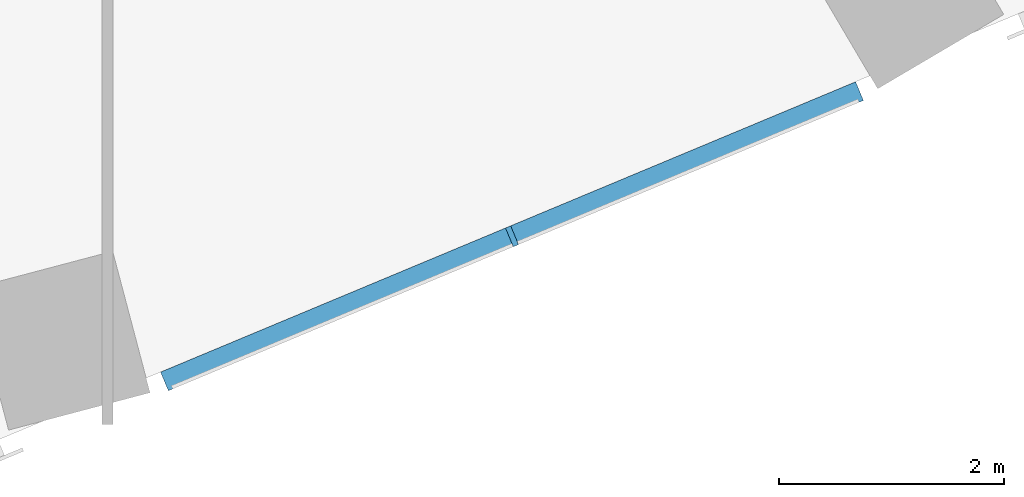
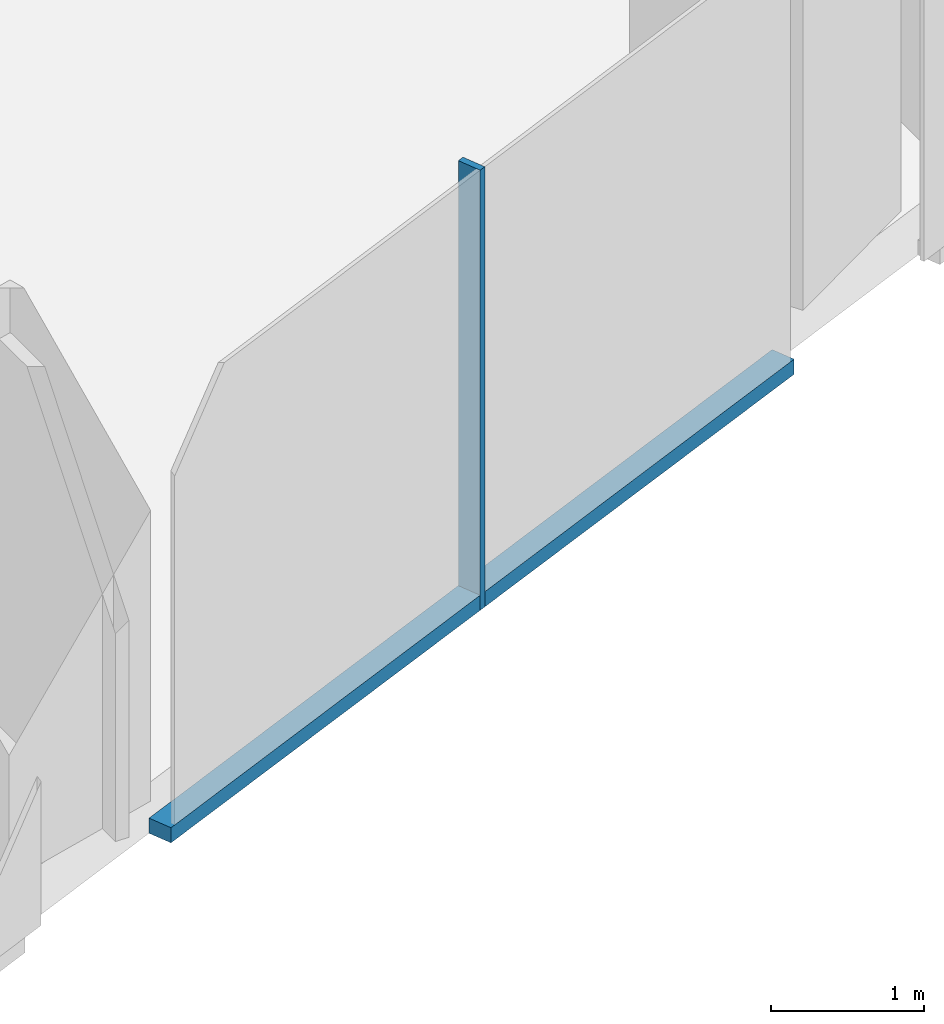
# One storey, part 6 of 34: 2 members, 1 element without a shape of its own.
"""IFC4 building model written with IfcOpenShell, lengths in metres."""

from ifc_helpers import new_model, si_unit, direction, frame, origin, origin_2d, place, context, subcontext, project, spatial, rectangle, extrude, material, material_profile, profile_set, type_object, element, aggregate, save


model = new_model("IFC4")

# Units and contexts
model_context = context("Model", 3, precision=1e-05, world=origin(), true_north=direction((0.0, 1.0)))
body_context = subcontext(model_context, "Body", "Model", "MODEL_VIEW")
ifc_project = project(units=[si_unit("LENGTHUNIT", "METRE"), si_unit("AREAUNIT", "SQUARE_METRE"), si_unit("VOLUMEUNIT", "CUBIC_METRE"), si_unit("PLANEANGLEUNIT", "RADIAN"), si_unit("MASSUNIT", "GRAM", prefix="KILO")], contexts=[model_context])

# Site, building, storey
site_placement = place(None, origin())
site = spatial("IfcSite", under=ifc_project, at=site_placement, CompositionType="ELEMENT")
building_placement = place(site_placement, origin())
building = spatial("IfcBuilding", under=site, at=building_placement, Name="Orlundy Tower", CompositionType="ELEMENT")
storey_placement = place(building_placement, frame((0.0, 0.0, 105.699951171875)))
storey = spatial("IfcBuildingStorey", under=building, at=storey_placement, Name="L26", CompositionType="ELEMENT", Elevation=105.699951171875)

# Curtain wall, members
ifc_material_1 = material(Name="Aluminium bronze anodised", Category="aluminium")
curtain_wall_type = type_object("IfcCurtainWallType", Name="CW1 wall", PredefinedType="NOTDEFINED", material=ifc_material_1)
curtain_wall_placement = place(storey_placement, origin())
curtain_wall = element("IfcCurtainWall", 1, at=curtain_wall_placement, inside=storey, type_object=curtain_wall_type, Name="CW1 run 01", PredefinedType="NOTDEFINED")
ifc_material_2 = material(Name="Aluminium bronze anodised", Category="aluminium")
ifc_material_profile_1 = material_profile(ifc_material_2, rectangle(XDim=0.179931640625, YDim=0.050048828125, at=origin_2d()), Name="CW1 mullion 50x180")
ifc_profile_set_1 = profile_set([ifc_material_profile_1], Name="Aluminium bronze anodised")
member_type_1 = type_object("IfcMemberType", Name="CW1 mullion 50x180", PredefinedType="MULLION", material=ifc_profile_set_1)
member_1_placement = place(storey_placement, frame((11.595703125, -27.76611328125, -0.39990234375), z_axis=(0.0, 0.0, 1.0), x_axis=(0.385377262048, -0.922759105019, 0.0)))
member_1 = element("IfcMember", 2, at=member_1_placement, type_object=member_type_1, Name="CW1 mullion 8", PredefinedType="MULLION", context=body_context, shape_type="SweptSolid", body=[
    extrude(rectangle(XDim=0.179931640625, YDim=0.050048828125, at=origin_2d()), origin(), (0.0, 0.0, 1.0), 3.5),
])
ifc_material_3 = material(Name="Aluminium bronze anodised", Category="aluminium")
ifc_material_profile_2 = material_profile(ifc_material_3, rectangle(XDim=0.179931640625, YDim=0.1201171875, at=origin_2d()), Name="CW1 transom 180x120")
ifc_profile_set_2 = profile_set([ifc_material_profile_2], Name="Aluminium bronze anodised")
member_type_2 = type_object("IfcMemberType", Name="CW1 transom 180x120", PredefinedType="USERDEFINED", material=ifc_profile_set_2)
member_2_placement = place(storey_placement, frame((14.6845703125, -26.47607421875, -0.33984375), z_axis=(-0.922764802462, -0.385363619635, 0.0), x_axis=(0.385363619635, -0.922764802462, 0.0)))
member_2 = element("IfcMember", 3, at=member_2_placement, type_object=member_type_2, Name="CW1 transom", ObjectType="TRANSOM", PredefinedType="USERDEFINED", context=body_context, shape_type="SweptSolid", body=[
    extrude(rectangle(XDim=0.179931640625, YDim=0.1201171875, at=origin_2d()), origin(), (0.0, 0.0, 1.0), 6.694580078125),
])
aggregate(curtain_wall, [member_1, member_2])

save(model, "model.ifc")
